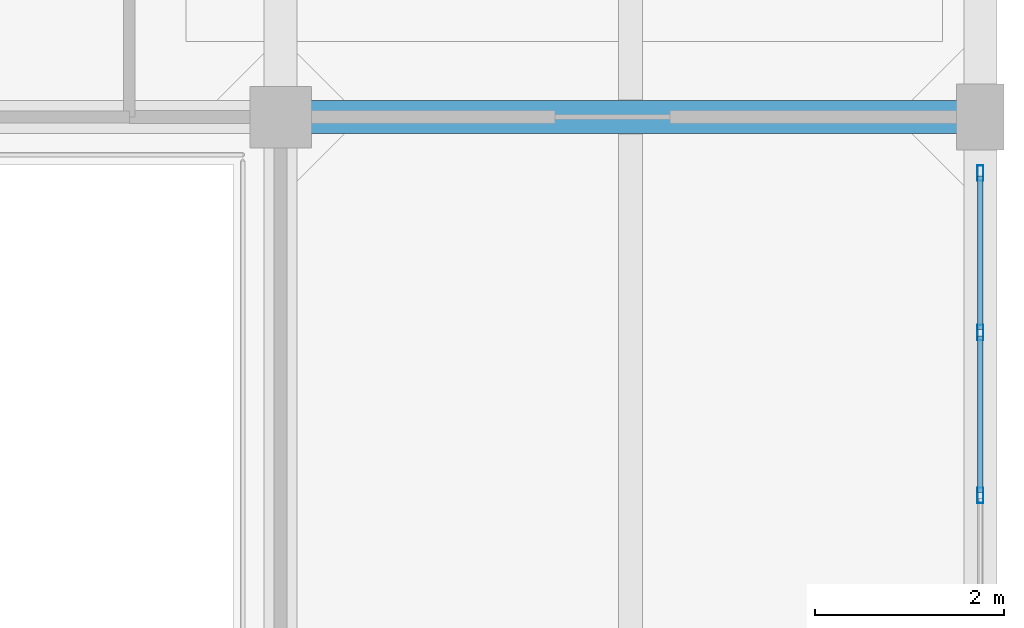
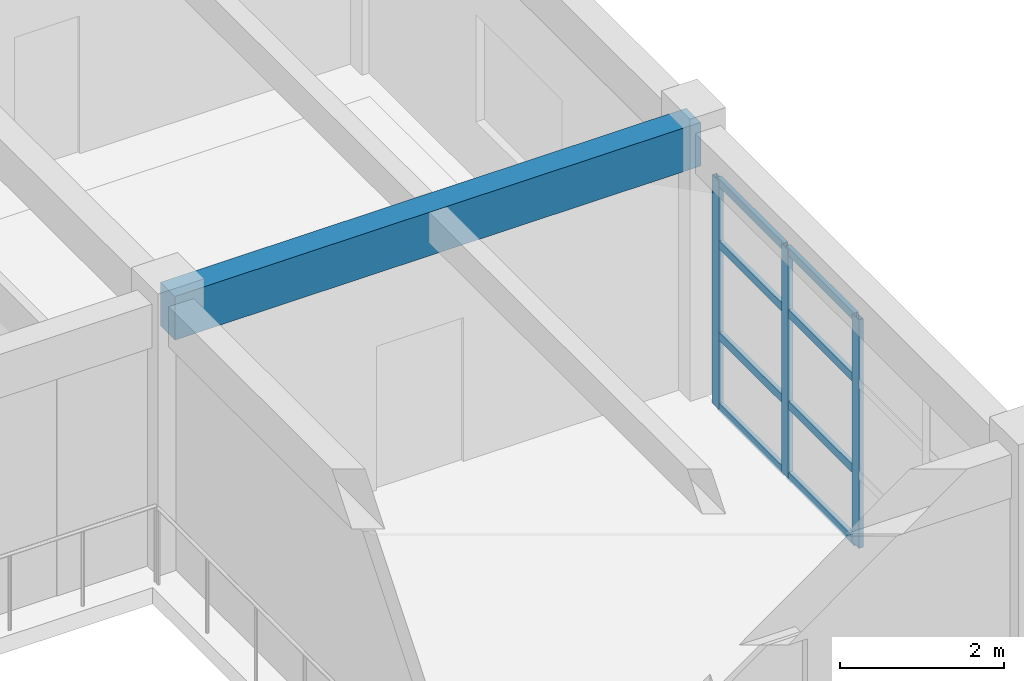
# One storey, part 8 of 20: 11 members, 1 beam, 1 element without a shape of its own.
"""IFC4 building model written with IfcOpenShell, lengths in metres."""

from ifc_helpers import new_model, si_unit, direction, frame, origin, origin_2d, place, context, subcontext, project, spatial, rectangle, hollow_rectangle, extrude, material, layer, layer_set, material_profile, profile_set, type_object, element, aggregate, save


model = new_model("IFC4")

# Units and contexts
model_context = context("Model", 3, precision=1e-05, world=origin(), true_north=direction((0.0, 1.0)))
body_context = subcontext(model_context, "Body", "Model", "MODEL_VIEW")
ifc_project = project(units=[si_unit("LENGTHUNIT", "METRE"), si_unit("AREAUNIT", "SQUARE_METRE"), si_unit("VOLUMEUNIT", "CUBIC_METRE"), si_unit("PLANEANGLEUNIT", "RADIAN"), si_unit("MASSUNIT", "GRAM", prefix="KILO")], contexts=[model_context])

# Site, building, storey
site_placement = place(None, origin())
site = spatial("IfcSite", under=ifc_project, at=site_placement, CompositionType="ELEMENT")
building_placement = place(site_placement, origin())
building = spatial("IfcBuilding", under=site, at=building_placement, Name="Canggui Botanical Conservatory", CompositionType="ELEMENT")
storey_placement = place(building_placement, frame((0.0, 0.0, 57.0)))
storey = spatial("IfcBuildingStorey", under=building, at=storey_placement, Name="L14", CompositionType="ELEMENT", Elevation=57.0)

# Beam
ifc_material_1 = material(Name="Concrete C35", Category="concrete")
ifc_material_profile_1 = material_profile(ifc_material_1, rectangle(XDim=0.35009765625, YDim=0.64990234375, at=origin_2d()), Name="RB 350x650")
ifc_profile_set_1 = profile_set([ifc_material_profile_1], Name="Concrete C35")
beam_type = type_object("IfcBeamType", Name="BM-KL18", PredefinedType="BEAM", material=ifc_profile_set_1)
beam_placement = place(storey_placement, frame((170.0, 50.0, 3.635009765625), z_axis=(1.0, 0.0, 0.0), x_axis=(0.0, 1.0, 0.0)))
element("IfcBeam", 1, at=beam_placement, inside=storey, type_object=beam_type, Name="Frame Girder L14 Y50-4", PredefinedType="BEAM", context=body_context, shape_type="SweptSolid", body=[
    extrude(rectangle(XDim=0.35009765625, YDim=0.64990234375, at=origin_2d()), origin(), (0.0, 0.0, 1.0), 7.39990234375),
])

# Curtain wall, members
ifc_material_2 = material(Name="Thermally Broken Aluminium", Category="aluminium")
ifc_layer = layer(ifc_material_2, 0.1650390625, Name="Thermally Broken Aluminium", Category="aluminium")
ifc_layer_set = layer_set([ifc_layer], Name="Thermally Broken Aluminium")
curtain_wall_type = type_object("IfcCurtainWallType", Name="CW-UNIT-B", PredefinedType="USERDEFINED", material=ifc_layer_set)
curtain_wall_placement = place(storey_placement, origin())
curtain_wall = element("IfcCurtainWall", 2, at=curtain_wall_placement, inside=storey, type_object=curtain_wall_type, Name="Facade Curtain Wall CW-TWR-L14-12", ObjectType="UNITISED CURTAIN WALL", PredefinedType="USERDEFINED")
ifc_material_profile_2 = material_profile(ifc_material_2, hollow_rectangle(XDim=0.06494140625, YDim=0.1650390625, WallThickness=0.00390625, at=origin_2d()), Name="CWM 65x165x4")
ifc_profile_set_2 = profile_set([ifc_material_profile_2], Name="Thermally Broken Aluminium")
member_type_1 = type_object("IfcMemberType", Name="CWM-02", PredefinedType="MULLION", material=ifc_profile_set_2)
member_1_placement = place(storey_placement, frame((177.39990234375, 49.407470703125, 0.0), z_axis=(0.0, 0.0, 1.0), x_axis=(1.0, 0.0, 0.0)))
member_1 = element("IfcMember", 3, at=member_1_placement, type_object=member_type_1, Name="CW-02 mullion 1", PredefinedType="MULLION", context=body_context, shape_type="SweptSolid", body=[
    extrude(hollow_rectangle(XDim=0.06494140625, YDim=0.1650390625, WallThickness=0.00390625, at=origin_2d()), origin(), (0.0, 0.0, 1.0), 3.39990234375),
])
member_2_placement = place(storey_placement, frame((177.39990234375, 47.719970703125, 0.0), z_axis=(0.0, 0.0, 1.0), x_axis=(1.0, 0.0, 0.0)))
member_2 = element("IfcMember", 4, at=member_2_placement, type_object=member_type_1, Name="CW-02 mullion 2", PredefinedType="MULLION", context=body_context, shape_type="SweptSolid", body=[
    extrude(hollow_rectangle(XDim=0.06494140625, YDim=0.1650390625, WallThickness=0.00390625, at=origin_2d()), origin(), (0.0, 0.0, 1.0), 3.39990234375),
])
member_3_placement = place(storey_placement, frame((177.39990234375, 46.0, 0.0), z_axis=(0.0, 0.0, 1.0), x_axis=(1.0, 0.0, 0.0)))
member_3 = element("IfcMember", 5, at=member_3_placement, type_object=member_type_1, Name="CW-02 mullion 3", PredefinedType="MULLION", context=body_context, shape_type="SweptSolid", body=[
    extrude(hollow_rectangle(XDim=0.06494140625, YDim=0.1650390625, WallThickness=0.00390625, at=origin_2d()), origin(), (0.0, 0.0, 1.0), 3.39990234375),
])
ifc_material_profile_3 = material_profile(ifc_material_2, hollow_rectangle(XDim=0.06005859375, YDim=0.1201171875, WallThickness=0.00341796875, at=origin_2d()), Name="CWT 60x120x3.5")
ifc_profile_set_3 = profile_set([ifc_material_profile_3], Name="Thermally Broken Aluminium")
member_type_2 = type_object("IfcMemberType", Name="CWT-02", PredefinedType="USERDEFINED", material=ifc_profile_set_3)
member_4_placement = place(storey_placement, frame((177.39990234375, 49.375, 0.030029296875), z_axis=(0.0, -1.0, 0.0), x_axis=(1.0, 0.0, 0.0)))
member_4 = element("IfcMember", 6, at=member_4_placement, type_object=member_type_2, Name="CW-02 transom 1.1", ObjectType="TRANSOM", PredefinedType="USERDEFINED", context=body_context, shape_type="SweptSolid", body=[
    extrude(hollow_rectangle(XDim=0.06005859375, YDim=0.1201171875, WallThickness=0.00341796875, at=origin_2d()), origin(), (0.0, 0.0, 1.0), 1.62255859375),
])
member_5_placement = place(storey_placement, frame((177.39990234375, 49.375, 1.087890625), z_axis=(0.0, -1.0, 0.0), x_axis=(1.0, 0.0, 0.0)))
member_5 = element("IfcMember", 7, at=member_5_placement, type_object=member_type_2, Name="CW-02 transom 1.2", ObjectType="TRANSOM", PredefinedType="USERDEFINED", context=body_context, shape_type="SweptSolid", body=[
    extrude(hollow_rectangle(XDim=0.06005859375, YDim=0.1201171875, WallThickness=0.00341796875, at=origin_2d()), origin(), (0.0, 0.0, 1.0), 1.62255859375),
])
member_6_placement = place(storey_placement, frame((177.39990234375, 49.375, 2.447998046875), z_axis=(0.0, -1.0, 0.0), x_axis=(1.0, 0.0, 0.0)))
member_6 = element("IfcMember", 8, at=member_6_placement, type_object=member_type_2, Name="CW-02 transom 1.3", ObjectType="TRANSOM", PredefinedType="USERDEFINED", context=body_context, shape_type="SweptSolid", body=[
    extrude(hollow_rectangle(XDim=0.06005859375, YDim=0.1201171875, WallThickness=0.00341796875, at=origin_2d()), origin(), (0.0, 0.0, 1.0), 1.62255859375),
])
member_7_placement = place(storey_placement, frame((177.39990234375, 49.375, 3.3701171875), z_axis=(0.0, -1.0, 0.0), x_axis=(1.0, 0.0, 0.0)))
member_7 = element("IfcMember", 9, at=member_7_placement, type_object=member_type_2, Name="CW-02 transom 1.4", ObjectType="TRANSOM", PredefinedType="USERDEFINED", context=body_context, shape_type="SweptSolid", body=[
    extrude(hollow_rectangle(XDim=0.06005859375, YDim=0.1201171875, WallThickness=0.00341796875, at=origin_2d()), origin(), (0.0, 0.0, 1.0), 1.62255859375),
])
member_8_placement = place(storey_placement, frame((177.39990234375, 47.6875, 0.030029296875), z_axis=(0.0, -1.0, 0.0), x_axis=(1.0, 0.0, 0.0)))
member_8 = element("IfcMember", 10, at=member_8_placement, type_object=member_type_2, Name="CW-02 transom 2.1", ObjectType="TRANSOM", PredefinedType="USERDEFINED", context=body_context, shape_type="SweptSolid", body=[
    extrude(hollow_rectangle(XDim=0.06005859375, YDim=0.1201171875, WallThickness=0.00341796875, at=origin_2d()), origin(), (0.0, 0.0, 1.0), 1.655029296875),
])
member_9_placement = place(storey_placement, frame((177.39990234375, 47.6875, 1.087890625), z_axis=(0.0, -1.0, 0.0), x_axis=(1.0, 0.0, 0.0)))
member_9 = element("IfcMember", 11, at=member_9_placement, type_object=member_type_2, Name="CW-02 transom 2.2", ObjectType="TRANSOM", PredefinedType="USERDEFINED", context=body_context, shape_type="SweptSolid", body=[
    extrude(hollow_rectangle(XDim=0.06005859375, YDim=0.1201171875, WallThickness=0.00341796875, at=origin_2d()), origin(), (0.0, 0.0, 1.0), 1.655029296875),
])
member_10_placement = place(storey_placement, frame((177.39990234375, 47.6875, 2.447998046875), z_axis=(0.0, -1.0, 0.0), x_axis=(1.0, 0.0, 0.0)))
member_10 = element("IfcMember", 12, at=member_10_placement, type_object=member_type_2, Name="CW-02 transom 2.3", ObjectType="TRANSOM", PredefinedType="USERDEFINED", context=body_context, shape_type="SweptSolid", body=[
    extrude(hollow_rectangle(XDim=0.06005859375, YDim=0.1201171875, WallThickness=0.00341796875, at=origin_2d()), origin(), (0.0, 0.0, 1.0), 1.655029296875),
])
member_11_placement = place(storey_placement, frame((177.39990234375, 47.6875, 3.3701171875), z_axis=(0.0, -1.0, 0.0), x_axis=(1.0, 0.0, 0.0)))
member_11 = element("IfcMember", 13, at=member_11_placement, type_object=member_type_2, Name="CW-02 transom 2.4", ObjectType="TRANSOM", PredefinedType="USERDEFINED", context=body_context, shape_type="SweptSolid", body=[
    extrude(hollow_rectangle(XDim=0.06005859375, YDim=0.1201171875, WallThickness=0.00341796875, at=origin_2d()), origin(), (0.0, 0.0, 1.0), 1.655029296875),
])
aggregate(curtain_wall, [member_1, member_2, member_3, member_4, member_5, member_6, member_7, member_8, member_9, member_10, member_11])

save(model, "model.ifc")
